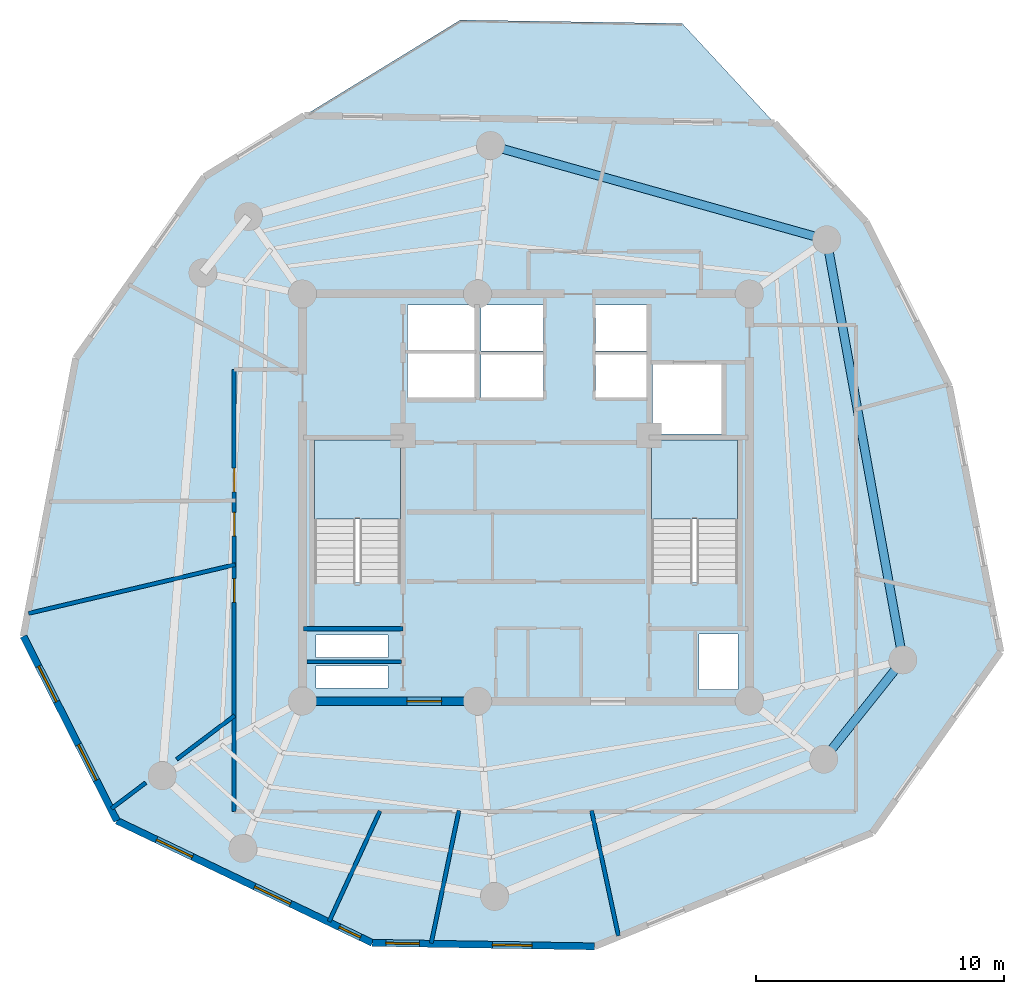
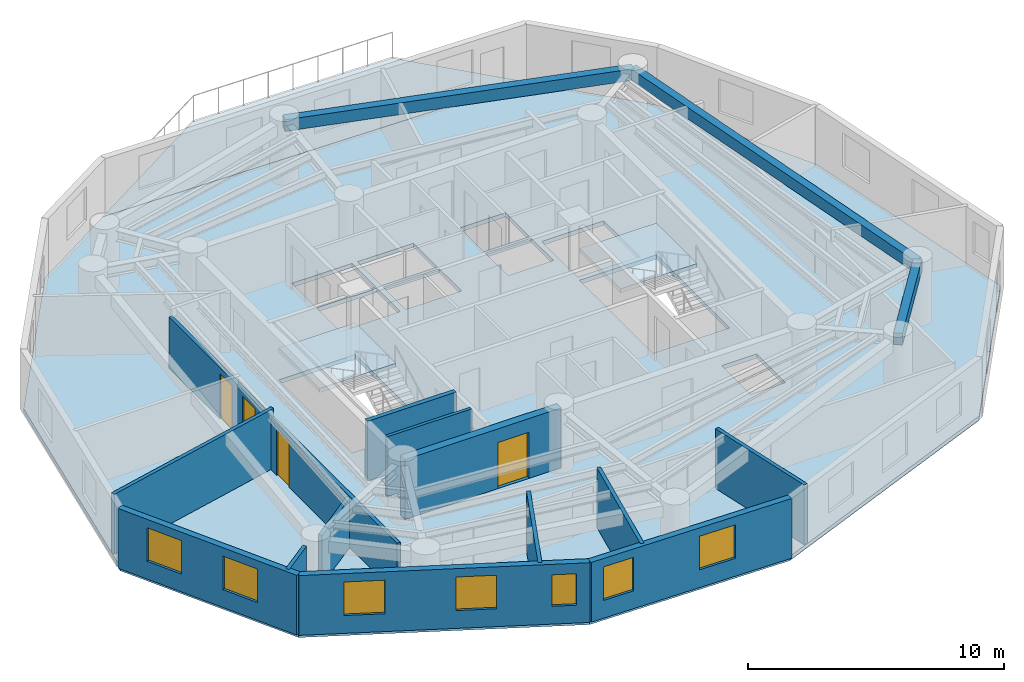
# One storey, part 2 of 7: 13 walls, 7 windows, 4 doors, 4 slabs, 3 beams, 11 openings, 2 elements without a shape of their own.
"""IFC4 building model written with IfcOpenShell, lengths in metres."""

from ifc_helpers import new_model, si_unit, direction, frame, frame_2d, origin, origin_with_axes, origin_2d, place, context, subcontext, project, spatial, polyline, rectangle, outline, extrude, source, transform, mapped, material, layer, layer_set, material_profile, profile_set, type_object, element, fill, aggregate, save


model = new_model("IFC4")

# Units and contexts
model_context = context("Model", 3, precision=1e-05, world=origin(), true_north=direction((0.0, 1.0)))
body_context = subcontext(model_context, "Body", "Model", "MODEL_VIEW")
ifc_project = project(units=[si_unit("LENGTHUNIT", "METRE"), si_unit("AREAUNIT", "SQUARE_METRE"), si_unit("VOLUMEUNIT", "CUBIC_METRE"), si_unit("PLANEANGLEUNIT", "RADIAN"), si_unit("MASSUNIT", "GRAM", prefix="KILO")], contexts=[model_context])

# Site, building, storey
site_placement = place(None, origin())
site = spatial("IfcSite", under=ifc_project, at=site_placement, CompositionType="ELEMENT")
building_placement = place(site_placement, origin())
building = spatial("IfcBuilding", under=site, at=building_placement, Name="Karkom Vertical University and Central Library", CompositionType="ELEMENT")
storey_placement = place(building_placement, frame((0.0, 0.0, 253.5)))
storey = spatial("IfcBuildingStorey", under=building, at=storey_placement, Name="L75", CompositionType="ELEMENT", Elevation=253.5)

# Beams
ifc_material_1 = material(Name="Precast concrete C45/55", Category="concrete")
ifc_material_profile = material_profile(ifc_material_1, rectangle(XDim=0.35009765625, YDim=0.550048828125, at=origin_2d()), Name="SPB-350x550")
ifc_profile_set = profile_set([ifc_material_profile], Name="Precast concrete C45/55")
beam_type = type_object("IfcBeamType", Name="STR-BM-SP-2", PredefinedType="SPANDREL", material=ifc_profile_set)
shared_shape_1 = source(origin_with_axes(), body_context, "Body", "SweptSolid", [
    extrude(rectangle(XDim=0.35009765625, YDim=0.550048828125, at=origin_2d()), origin(), (0.0, 0.0, 1.0), 17.19970703125),
])
beam_1_placement = place(storey_placement, frame((43.681884765625, 19.9560546875, 2.574951171875), z_axis=(-0.178423249727, 0.983953832228, 0.0), x_axis=(-0.983953832228, -0.178423249727, 0.0)))
element("IfcBeam", 1, at=beam_1_placement, inside=storey, type_object=beam_type, Name="Level 75 Perimeter Spandrel Beam 01", PredefinedType="SPANDREL", context=body_context, shape_type="MappedRepresentation", body=[
    mapped(shared_shape_1, transform((0.0, 0.0, 0.0), scale=1.0)),
])
shared_shape_2 = source(origin_with_axes(), body_context, "Body", "SweptSolid", [
    extrude(rectangle(XDim=0.35009765625, YDim=0.550048828125, at=origin_2d()), origin(), (0.0, 0.0, 1.0), 14.0625),
])
beam_2_placement = place(storey_placement, frame((40.613037109375, 36.8798828125, 2.574951171875), z_axis=(-0.962854853531, 0.270019501207, 0.0), x_axis=(-0.270019501207, -0.962854853531, 0.0)))
element("IfcBeam", 2, at=beam_2_placement, inside=storey, type_object=beam_type, Name="Level 75 Perimeter Spandrel Beam 02", PredefinedType="SPANDREL", context=body_context, shape_type="MappedRepresentation", body=[
    mapped(shared_shape_2, transform((0.0, 0.0, 0.0), scale=1.0)),
])
shared_shape_3 = source(origin_with_axes(), body_context, "Body", "SweptSolid", [
    extrude(rectangle(XDim=0.35009765625, YDim=0.550048828125, at=origin_2d()), origin(), (0.0, 0.0, 1.0), 5.112060546875),
])
beam_3_placement = place(storey_placement, frame((40.493896484375, 15.9599609375, 2.574951171875), z_axis=(0.623634459503, 0.78171609995, 0.0), x_axis=(-0.78171609995, 0.623634459503, 0.0)))
element("IfcBeam", 3, at=beam_3_placement, inside=storey, type_object=beam_type, Name="Level 75 Perimeter Spandrel Beam 09", PredefinedType="SPANDREL", context=body_context, shape_type="MappedRepresentation", body=[
    mapped(shared_shape_3, transform((0.0, 0.0, 0.0), scale=1.0)),
])

# Stair, slab
ifc_material_2 = material(Name="Concrete C45/55", Category="concrete")
stair_type = type_object("IfcStairType", Name="INT-STR-ST-MAIN", PredefinedType="HALF_TURN_STAIR", material=ifc_material_2)
stair_1_placement = place(storey_placement, origin())
stair_1 = element("IfcStair", 4, at=stair_1_placement, inside=storey, type_object=stair_type, Name="Level 75 Tower Protected Exit Stair ST-1", PredefinedType="HALF_TURN_STAIR")
ifc_layer_1 = layer(ifc_material_2, 0.199951171875)
ifc_layer_set_1 = layer_set([ifc_layer_1], Name="Concrete C45/55")
slab_type_1 = type_object("IfcSlabType", Name="INT-SLB-LANDING", PredefinedType="LANDING", material=ifc_layer_set_1)
slab_1_placement = place(storey_placement, frame((0.0, 0.0, 1.324951171875)))
slab_1 = element("IfcSlab", 5, at=slab_1_placement, type_object=slab_type_1, Name="ST-1 landing 1", PredefinedType="LANDING", context=body_context, shape_type="SweptSolid", body=[
    extrude(outline(polyline([(23.43994140625, 25.6298828125), (23.43994140625, 28.820068359375), (19.97998046875, 28.820068359375), (19.97998046875, 25.6298828125), (23.43994140625, 25.6298828125)])), origin(), (0.0, 0.0, 1.0), 0.199951171875),
])
aggregate(stair_1, [slab_1])

stair_2_placement = place(storey_placement, origin())
stair_2 = element("IfcStair", 6, at=stair_2_placement, inside=storey, type_object=stair_type, Name="Level 75 Tower Protected Exit Stair ST-2", PredefinedType="HALF_TURN_STAIR")
slab_2_placement = place(storey_placement, frame((0.0, 0.0, 1.324951171875)))
slab_2 = element("IfcSlab", 7, at=slab_2_placement, type_object=slab_type_1, Name="ST-2 landing 1", PredefinedType="LANDING", context=body_context, shape_type="SweptSolid", body=[
    extrude(outline(polyline([(37.02001953125, 25.6298828125), (37.02001953125, 28.820068359375), (33.56005859375, 28.820068359375), (33.56005859375, 25.6298828125), (37.02001953125, 25.6298828125)])), origin(), (0.0, 0.0, 1.0), 0.199951171875),
])
aggregate(stair_2, [slab_2])

# Slabs
ifc_material_3 = material(Name="Concrete C40/50", Category="concrete")
ifc_layer_2 = layer(ifc_material_3, 0.199951171875)
ifc_layer_set_2 = layer_set([ifc_layer_2], Name="Concrete C40/50")
slab_type_2 = type_object("IfcSlabType", Name="STR-SLB-FLR-200", PredefinedType="FLOOR", material=ifc_layer_set_2)
slab_3_placement = place(storey_placement, frame((0.0, 0.0, -0.199951171875)))
element("IfcSlab", 8, at=slab_3_placement, inside=storey, type_object=slab_type_2, Name="Level 75 Tower Structural Floor Slab", PredefinedType="FLOOR", context=body_context, shape_type="SweptSolid", body=[
    extrude(outline(polyline([(12.02685546875, 13.481689453125), (22.310791015625, 8.563232421875), (31.2607421875, 8.421875), (42.448974609375, 13.0009765625), (47.61474609375, 20.28759765625), (45.55029296875, 30.974853515625), (42.188720703125, 37.6064453125), (38.505615234375, 41.580078125), (19.57421875, 41.87939453125), (15.551025390625, 39.4140625), (10.374267578125, 32.11181640625), (8.26171875, 20.909423828125), (12.02685546875, 13.481689453125)]), holes=[polyline([(19.97998046875, 23.0849609375), (23.43994140625, 23.0849609375), (23.43994140625, 28.820068359375), (19.97998046875, 28.820068359375), (19.97998046875, 23.0849609375)]), polyline([(33.56005859375, 23.0849609375), (37.02001953125, 23.0849609375), (37.02001953125, 28.820068359375), (33.56005859375, 28.820068359375), (33.56005859375, 23.0849609375)]), polyline([(26.679931640625, 30.5), (29.199951171875, 30.5), (29.199951171875, 32.25), (26.679931640625, 32.25), (26.679931640625, 30.5)]), polyline([(26.679931640625, 32.39990234375), (29.199951171875, 32.39990234375), (29.199951171875, 34.25), (26.679931640625, 34.25), (26.679931640625, 32.39990234375)]), polyline([(31.300048828125, 30.5), (33.35009765625, 30.5), (33.35009765625, 32.25), (31.300048828125, 32.25), (31.300048828125, 30.5)]), polyline([(31.300048828125, 32.39990234375), (33.35009765625, 32.39990234375), (33.35009765625, 34.25), (31.300048828125, 34.25), (31.300048828125, 32.39990234375)]), polyline([(23.719970703125, 30.47998046875), (26.429931640625, 30.47998046875), (26.429931640625, 32.320068359375), (23.719970703125, 32.320068359375), (23.719970703125, 30.47998046875)]), polyline([(23.719970703125, 32.419921875), (26.429931640625, 32.419921875), (26.429931640625, 34.260009765625), (23.719970703125, 34.260009765625), (23.719970703125, 32.419921875)]), polyline([(33.60009765625, 29.050048828125), (36.39990234375, 29.050048828125), (36.39990234375, 31.85009765625), (33.60009765625, 31.85009765625), (33.60009765625, 29.050048828125)]), polyline([(20.050048828125, 18.820068359375), (22.949951171875, 18.820068359375), (22.949951171875, 19.719970703125), (20.050048828125, 19.719970703125), (20.050048828125, 18.820068359375)]), polyline([(20.050048828125, 20.06005859375), (22.949951171875, 20.06005859375), (22.949951171875, 20.9599609375), (20.050048828125, 20.9599609375), (20.050048828125, 20.06005859375)]), polyline([(35.4599609375, 18.760009765625), (37.0400390625, 18.760009765625), (37.0400390625, 21.010009765625), (35.4599609375, 21.010009765625), (35.4599609375, 18.760009765625)])]), origin(), (0.0, 0.0, 1.0), 0.199951171875),
])
ifc_layer_3 = layer(ifc_material_2, 0.199951171875)
ifc_layer_set_3 = layer_set([ifc_layer_3], Name="Concrete C45/55")
slab_type_3 = type_object("IfcSlabType", Name="STR-SLB-PLN-260", PredefinedType="USERDEFINED", material=ifc_layer_set_3)
slab_4_placement = place(storey_placement, frame((0.0, 0.0, -0.199951171875)))
element("IfcSlab", 9, at=slab_4_placement, inside=storey, type_object=slab_type_3, Name="Level 75 Spiral Sky Garden Planter Terrace", ObjectType="PLANTER", PredefinedType="USERDEFINED", context=body_context, shape_type="SweptSolid", body=[
    extrude(outline(polyline([(38.505615234375, 41.580078125), (34.789306640625, 45.589599609375), (25.8583984375, 45.730712890625), (19.57421875, 41.87939453125), (38.505615234375, 41.580078125)])), origin(), (0.0, 0.0, 1.0), 0.199951171875),
])

# Wall, openings, windows
ifc_material_4 = material(Name="Brick-faced precast concrete C45/55", Category="masonry")
ifc_layer_4 = layer(ifc_material_4, 0.280029296875)
ifc_layer_set_4 = layer_set([ifc_layer_4], Name="Brick-faced precast concrete C45/55")
wall_type_1 = type_object("IfcWallType", Name="ENV-WL-BRK-280", PredefinedType="SOLIDWALL", material=ifc_layer_set_4)
wall_1_placement = place(storey_placement, frame((12.02685546875, 13.481689453125, 0.0), z_axis=(0.0, 0.0, 1.0), x_axis=(0.902132409452, -0.431459286395, 0.0)))
wall_1 = element("IfcWall", 10, at=wall_1_placement, inside=storey, type_object=wall_type_1, Name="Level 75 Brick-Faced Precast Facade Wall 01", PredefinedType="SOLIDWALL", context=body_context, shape_type="SweptSolid", body=[
    extrude(rectangle(XDim=11.399658203125, YDim=0.280029296875, at=frame_2d((5.69970703125, 0.0))), origin(), (0.0, 0.0, 1.0), 2.85009765625),
])
opening_1_placement = place(wall_1_placement, frame((1.769775390625, 0.0, 0.85009765625)))
opening_1 = element("IfcOpeningElement", 11, at=opening_1_placement, cuts=wall_1, Name="Opening WN-10", PredefinedType="OPENING", context=body_context, shape_type="SweptSolid", body=[
    extrude(rectangle(XDim=1.60009765625, YDim=1.60009765625, at=frame_2d((0.800048828125, 0.800048828125))), frame((0.0, 0.14990234375, 0.0), z_axis=(0.0, -1.0, 0.0), x_axis=(1.0, 0.0, 0.0)), (0.0, 0.0, 1.0), 0.300048828125),
])
opening_2_placement = place(wall_1_placement, frame((6.1494140625, 0.0, 0.85009765625)))
opening_2 = element("IfcOpeningElement", 12, at=opening_2_placement, cuts=wall_1, Name="Opening WN-10", PredefinedType="OPENING", context=body_context, shape_type="SweptSolid", body=[
    extrude(rectangle(XDim=1.60009765625, YDim=1.60009765625, at=frame_2d((0.800048828125, 0.800048828125))), frame((0.0, 0.14990234375, 0.0), z_axis=(0.0, -1.0, 0.0), x_axis=(1.0, 0.0, 0.0)), (0.0, 0.0, 1.0), 0.300048828125),
])
opening_3_placement = place(wall_1_placement, frame((9.92431640625, 0.0, 0.85009765625)))
opening_3 = element("IfcOpeningElement", 13, at=opening_3_placement, cuts=wall_1, Name="Opening WN-12", PredefinedType="OPENING", context=body_context, shape_type="SweptSolid", body=[
    extrude(rectangle(XDim=0.949951171875, YDim=1.5, at=frame_2d((0.47509765625, 0.75))), frame((0.0, 0.14990234375, 0.0), z_axis=(0.0, -1.0, 0.0), x_axis=(1.0, 0.0, 0.0)), (0.0, 0.0, 1.0), 0.300048828125),
])
ifc_material_5 = material(Name="Aluminium thermal-break frame with solar-control IGU", Category="aluminium")
window_type_1 = type_object("IfcWindowType", Name="ENV-WIN-WN-12", PartitioningType="SINGLE_PANEL", PredefinedType="WINDOW", material=ifc_material_5)
shared_shape_4 = source(origin_with_axes(), body_context, "Body", "SweptSolid", [
    extrude(rectangle(XDim=0.949951171875, YDim=1.5, at=frame_2d((0.47509765625, 0.75))), frame((0.0, 0.030029296875, 0.0), z_axis=(0.0, -1.0, 0.0), x_axis=(1.0, 0.0, 0.0)), (0.0, 0.0, 1.0), 0.06005859375),
])
window_1_placement = place(opening_3_placement, origin())
window_1 = element("IfcWindow", 14, at=window_1_placement, inside=storey, type_object=window_type_1, Name="Level 75 Punched Window 1.3", OverallHeight=1.5, OverallWidth=0.949951171875, PartitioningType="SINGLE_PANEL", PredefinedType="WINDOW", context=body_context, shape_type="MappedRepresentation", body=[
    mapped(shared_shape_4, transform((0.0, 0.0, 0.0), scale=1.0)),
])
fill(opening_3, window_1)
window_type_2 = type_object("IfcWindowType", Name="ENV-WIN-WN-10", PartitioningType="SINGLE_PANEL", PredefinedType="WINDOW", material=ifc_material_5)
shared_shape_5 = source(origin_with_axes(), body_context, "Body", "SweptSolid", [
    extrude(rectangle(XDim=1.60009765625, YDim=1.60009765625, at=frame_2d((0.800048828125, 0.800048828125))), frame((0.0, 0.030029296875, 0.0), z_axis=(0.0, -1.0, 0.0), x_axis=(1.0, 0.0, 0.0)), (0.0, 0.0, 1.0), 0.06005859375),
])
window_2_placement = place(opening_1_placement, origin())
window_2 = element("IfcWindow", 15, at=window_2_placement, inside=storey, type_object=window_type_2, Name="Level 75 Punched Window 1.1", OverallHeight=1.60009765625, OverallWidth=1.60009765625, PartitioningType="SINGLE_PANEL", PredefinedType="WINDOW", context=body_context, shape_type="MappedRepresentation", body=[
    mapped(shared_shape_5, transform((0.0, 0.0, 0.0), scale=1.0)),
])
fill(opening_1, window_2)
window_3_placement = place(opening_2_placement, origin())
window_3 = element("IfcWindow", 16, at=window_3_placement, inside=storey, type_object=window_type_2, Name="Level 75 Punched Window 1.2", OverallHeight=1.60009765625, OverallWidth=1.60009765625, PartitioningType="SINGLE_PANEL", PredefinedType="WINDOW", context=body_context, shape_type="MappedRepresentation", body=[
    mapped(shared_shape_5, transform((0.0, 0.0, 0.0), scale=1.0)),
])
fill(opening_2, window_3)

wall_2_placement = place(storey_placement, frame((22.310791015625, 8.563232421875, 0.0), z_axis=(0.0, 0.0, 1.0), x_axis=(0.999875294772, -0.015792241896, 0.0)))
wall_2 = element("IfcWall", 17, at=wall_2_placement, inside=storey, type_object=wall_type_1, Name="Level 75 Brick-Faced Precast Facade Wall 02", PredefinedType="SOLIDWALL", context=body_context, shape_type="SweptSolid", body=[
    extrude(rectangle(XDim=8.951171875, YDim=0.280029296875, at=frame_2d((4.4755859375, 0.0))), origin(), (0.0, 0.0, 1.0), 2.85009765625),
])
opening_4_placement = place(wall_2_placement, frame((0.54541015625, 0.0, 0.85009765625)))
opening_4 = element("IfcOpeningElement", 18, at=opening_4_placement, cuts=wall_2, Name="Opening WN-11", PredefinedType="OPENING", context=body_context, shape_type="SweptSolid", body=[
    extrude(rectangle(XDim=1.35009765625, YDim=1.60009765625, at=frame_2d((0.675048828125, 0.800048828125))), frame((0.0, 0.14990234375, 0.0), z_axis=(0.0, -1.0, 0.0), x_axis=(1.0, 0.0, 0.0)), (0.0, 0.0, 1.0), 0.300048828125),
])
opening_5_placement = place(wall_2_placement, frame((4.836181640625, 0.0, 0.85009765625)))
opening_5 = element("IfcOpeningElement", 19, at=opening_5_placement, cuts=wall_2, Name="Opening WN-10", PredefinedType="OPENING", context=body_context, shape_type="SweptSolid", body=[
    extrude(rectangle(XDim=1.60009765625, YDim=1.60009765625, at=frame_2d((0.800048828125, 0.800048828125))), frame((0.0, 0.14990234375, 0.0), z_axis=(0.0, -1.0, 0.0), x_axis=(1.0, 0.0, 0.0)), (0.0, 0.0, 1.0), 0.300048828125),
])
window_4_placement = place(opening_5_placement, origin())
window_4 = element("IfcWindow", 20, at=window_4_placement, inside=storey, type_object=window_type_2, Name="Level 75 Punched Window 2.2", OverallHeight=1.60009765625, OverallWidth=1.60009765625, PartitioningType="SINGLE_PANEL", PredefinedType="WINDOW", context=body_context, shape_type="MappedRepresentation", body=[
    mapped(shared_shape_5, transform((0.0, 0.0, 0.0), scale=1.0)),
])
fill(opening_5, window_4)
window_type_3 = type_object("IfcWindowType", Name="ENV-WIN-WN-11", PartitioningType="SINGLE_PANEL", PredefinedType="WINDOW", material=ifc_material_5)
shared_shape_6 = source(origin_with_axes(), body_context, "Body", "SweptSolid", [
    extrude(rectangle(XDim=1.35009765625, YDim=1.60009765625, at=frame_2d((0.675048828125, 0.800048828125))), frame((0.0, 0.030029296875, 0.0), z_axis=(0.0, -1.0, 0.0), x_axis=(1.0, 0.0, 0.0)), (0.0, 0.0, 1.0), 0.06005859375),
])
window_5_placement = place(opening_4_placement, origin())
window_5 = element("IfcWindow", 21, at=window_5_placement, inside=storey, type_object=window_type_3, Name="Level 75 Punched Window 2.1", OverallHeight=1.60009765625, OverallWidth=1.35009765625, PartitioningType="SINGLE_PANEL", PredefinedType="WINDOW", context=body_context, shape_type="MappedRepresentation", body=[
    mapped(shared_shape_6, transform((0.0, 0.0, 0.0), scale=1.0)),
])
fill(opening_4, window_5)

wall_3_placement = place(storey_placement, frame((8.26171875, 20.909423828125, 0.0), z_axis=(0.0, 0.0, 1.0), x_axis=(0.452132129268, -0.891950972691, 0.0)))
wall_3 = element("IfcWall", 22, at=wall_3_placement, inside=storey, type_object=wall_type_1, Name="Level 75 Brick-Faced Precast Facade Wall 12", PredefinedType="SOLIDWALL", context=body_context, shape_type="SweptSolid", body=[
    extrude(rectangle(XDim=8.327392578125, YDim=0.280029296875, at=frame_2d((4.16357421875, 0.0))), origin(), (0.0, 0.0, 1.0), 2.85009765625),
])
opening_6_placement = place(wall_3_placement, frame((1.35107421875, 0.0, 0.85009765625)))
opening_6 = element("IfcOpeningElement", 23, at=opening_6_placement, cuts=wall_3, Name="Opening WN-10", PredefinedType="OPENING", context=body_context, shape_type="SweptSolid", body=[
    extrude(rectangle(XDim=1.60009765625, YDim=1.60009765625, at=frame_2d((0.800048828125, 0.800048828125))), frame((0.0, 0.14990234375, 0.0), z_axis=(0.0, -1.0, 0.0), x_axis=(1.0, 0.0, 0.0)), (0.0, 0.0, 1.0), 0.300048828125),
])
opening_7_placement = place(wall_3_placement, frame((4.893310546875, 0.0, 0.85009765625)))
opening_7 = element("IfcOpeningElement", 24, at=opening_7_placement, cuts=wall_3, Name="Opening WN-10", PredefinedType="OPENING", context=body_context, shape_type="SweptSolid", body=[
    extrude(rectangle(XDim=1.60009765625, YDim=1.60009765625, at=frame_2d((0.800048828125, 0.800048828125))), frame((0.0, 0.14990234375, 0.0), z_axis=(0.0, -1.0, 0.0), x_axis=(1.0, 0.0, 0.0)), (0.0, 0.0, 1.0), 0.300048828125),
])
window_6_placement = place(opening_6_placement, origin())
window_6 = element("IfcWindow", 25, at=window_6_placement, inside=storey, type_object=window_type_2, Name="Level 75 Punched Window 12.1", OverallHeight=1.60009765625, OverallWidth=1.60009765625, PartitioningType="SINGLE_PANEL", PredefinedType="WINDOW", context=body_context, shape_type="MappedRepresentation", body=[
    mapped(shared_shape_5, transform((0.0, 0.0, 0.0), scale=1.0)),
])
fill(opening_6, window_6)
window_7_placement = place(opening_7_placement, origin())
window_7 = element("IfcWindow", 26, at=window_7_placement, inside=storey, type_object=window_type_2, Name="Level 75 Punched Window 12.2", OverallHeight=1.60009765625, OverallWidth=1.60009765625, PartitioningType="SINGLE_PANEL", PredefinedType="WINDOW", context=body_context, shape_type="MappedRepresentation", body=[
    mapped(shared_shape_5, transform((0.0, 0.0, 0.0), scale=1.0)),
])
fill(opening_7, window_7)

# Wall, openings, doors
ifc_material_6 = material(Name="Insulated metal-stud drywall 160mm", Category="gypsum")
ifc_layer_5 = layer(ifc_material_6, 0.159912109375)
ifc_layer_set_5 = layer_set([ifc_layer_5], Name="Insulated metal-stud drywall 160mm")
wall_type_2 = type_object("IfcWallType", Name="INT-WL-COR-160", PredefinedType="PARTITIONING", material=ifc_layer_set_5)
wall_4_placement = place(storey_placement, frame((16.75, 13.85009765625, 0.0), z_axis=(0.0, 0.0, 1.0), x_axis=(0.0, 1.0, 0.0)))
wall_4 = element("IfcWall", 27, at=wall_4_placement, inside=storey, type_object=wall_type_2, Name="Level 75 Interior Partition Wall L75-CORW-CW-002", PredefinedType="PARTITIONING", context=body_context, shape_type="SweptSolid", body=[
    extrude(rectangle(XDim=17.7998046875, YDim=0.159912109375, at=frame_2d((8.89990234375, 0.0))), origin(), (0.0, 0.0, 1.0), 2.449951171875),
])
opening_8_placement = place(wall_4_placement, frame((11.094970703125, 0.0, 0.0)))
opening_8 = element("IfcOpeningElement", 28, at=opening_8_placement, cuts=wall_4, Name="Opening FD-RM2", PredefinedType="OPENING", context=body_context, shape_type="SweptSolid", body=[
    extrude(rectangle(XDim=0.9599609375, YDim=2.14990234375, at=frame_2d((0.47998046875, 1.074951171875))), frame((0.0, 0.08984375, 0.0), z_axis=(0.0, -1.0, 0.0), x_axis=(1.0, 0.0, 0.0)), (0.0, 0.0, 1.0), 0.179931640625),
])
opening_9_placement = place(wall_4_placement, frame((8.425048828125, 0.0, 0.0)))
opening_9 = element("IfcOpeningElement", 29, at=opening_9_placement, cuts=wall_4, Name="Opening FD-RM2", PredefinedType="OPENING", context=body_context, shape_type="SweptSolid", body=[
    extrude(rectangle(XDim=0.9599609375, YDim=2.14990234375, at=frame_2d((0.47998046875, 1.074951171875))), frame((0.0, 0.08984375, 0.0), z_axis=(0.0, -1.0, 0.0), x_axis=(1.0, 0.0, 0.0)), (0.0, 0.0, 1.0), 0.179931640625),
])
opening_10_placement = place(wall_4_placement, frame((12.875, 0.0, 0.0)))
opening_10 = element("IfcOpeningElement", 30, at=opening_10_placement, cuts=wall_4, Name="Opening FD-RM2", PredefinedType="OPENING", context=body_context, shape_type="SweptSolid", body=[
    extrude(rectangle(XDim=0.9599609375, YDim=2.14990234375, at=frame_2d((0.47998046875, 1.074951171875))), frame((0.0, 0.08984375, 0.0), z_axis=(0.0, -1.0, 0.0), x_axis=(1.0, 0.0, 0.0)), (0.0, 0.0, 1.0), 0.179931640625),
])
ifc_material_7 = material(Name="Fire-rated oak veneer door", Category="wood")
door_type_1 = type_object("IfcDoorType", Name="INT-DR-FRM2", OperationType="NOTDEFINED", PredefinedType="DOOR", material=ifc_material_7)
shared_shape_7 = source(origin_with_axes(), body_context, "Body", "SweptSolid", [
    extrude(rectangle(XDim=0.9599609375, YDim=2.14990234375, at=frame_2d((0.47998046875, 1.074951171875))), frame((0.0, 0.02490234375, 0.0), z_axis=(0.0, -1.0, 0.0), x_axis=(1.0, 0.0, 0.0)), (0.0, 0.0, 1.0), 0.050048828125),
])
door_1_placement = place(opening_8_placement, origin())
door_1 = element("IfcDoor", 31, at=door_1_placement, inside=storey, type_object=door_type_1, Name="Level 75 Room Entry Door 300", OperationType="SINGLE_SWING_LEFT", OverallHeight=2.14990234375, OverallWidth=0.9599609375, PredefinedType="DOOR", context=body_context, shape_type="MappedRepresentation", body=[
    mapped(shared_shape_7, transform((0.0, 0.0, 0.0), scale=1.0)),
])
fill(opening_8, door_1)
door_2_placement = place(opening_9_placement, origin())
door_2 = element("IfcDoor", 32, at=door_2_placement, inside=storey, type_object=door_type_1, Name="Level 75 Room Entry Door 301", OperationType="SINGLE_SWING_RIGHT", OverallHeight=2.14990234375, OverallWidth=0.9599609375, PredefinedType="DOOR", context=body_context, shape_type="MappedRepresentation", body=[
    mapped(shared_shape_7, transform((0.0, 0.0, 0.0), scale=1.0)),
])
fill(opening_9, door_2)
door_3_placement = place(opening_10_placement, origin())
door_3 = element("IfcDoor", 33, at=door_3_placement, inside=storey, type_object=door_type_1, Name="Level 75 Room Entry Door 310", OperationType="SINGLE_SWING_LEFT", OverallHeight=2.14990234375, OverallWidth=0.9599609375, PredefinedType="DOOR", context=body_context, shape_type="MappedRepresentation", body=[
    mapped(shared_shape_7, transform((0.0, 0.0, 0.0), scale=1.0)),
])
fill(opening_10, door_3)

# Walls
wall_5_placement = place(storey_placement, frame((16.793701171875, 23.798095703125, 0.0), z_axis=(0.0, 0.0, 1.0), x_axis=(-0.973246248969, -0.229764529179, 0.0)))
element("IfcWall", 34, at=wall_5_placement, inside=storey, type_object=wall_type_2, Name="Level 75 Interior Partition Wall L75-PW-001", PredefinedType="PARTITIONING", context=body_context, shape_type="SweptSolid", body=[
    extrude(rectangle(XDim=8.555908203125, YDim=0.159912109375, at=frame_2d((4.27783203125, 0.0))), origin(), (0.0, 0.0, 1.0), 2.85009765625),
])
wall_6_placement = place(storey_placement, frame((25.802490234375, 13.89404296875, 0.0), z_axis=(0.0, 0.0, 1.0), x_axis=(-0.20473658281, -0.978817108381, 0.0)))
element("IfcWall", 35, at=wall_6_placement, inside=storey, type_object=wall_type_2, Name="Level 75 Interior Partition Wall L75-PW-006", PredefinedType="PARTITIONING", context=body_context, shape_type="SweptSolid", body=[
    extrude(rectangle(XDim=5.4580078125, YDim=0.159912109375, at=frame_2d((2.72900390625, 0.0))), origin(), (0.0, 0.0, 1.0), 2.85009765625),
])
wall_7_placement = place(storey_placement, frame((31.142578125, 13.89404296875, 0.0), z_axis=(0.0, 0.0, 1.0), x_axis=(0.209706650343, -0.977764348298, 0.0)))
element("IfcWall", 36, at=wall_7_placement, inside=storey, type_object=wall_type_2, Name="Level 75 Interior Partition Wall L75-PW-007", PredefinedType="PARTITIONING", context=body_context, shape_type="SweptSolid", body=[
    extrude(rectangle(XDim=5.164306640625, YDim=0.159912109375, at=frame_2d((2.58203125, 0.0))), origin(), (0.0, 0.0, 1.0), 2.85009765625),
])
wall_8_placement = place(storey_placement, frame((22.622314453125, 13.877197265625, 0.0), z_axis=(0.0, 0.0, 1.0), x_axis=(-0.418205552884, -0.908352418138, 0.0)))
element("IfcWall", 37, at=wall_8_placement, inside=storey, type_object=wall_type_2, Name="Level 75 Interior Partition Wall L75-PW-005", PredefinedType="PARTITIONING", context=body_context, shape_type="SweptSolid", body=[
    extrude(rectangle(XDim=4.90380859375, YDim=0.159912109375, at=frame_2d((2.451904296875, 0.0))), origin(), (0.0, 0.0, 1.0), 2.85009765625),
])
wall_9_placement = place(storey_placement, frame((16.77392578125, 17.72216796875, 0.0), z_axis=(0.0, 0.0, 1.0), x_axis=(-0.798087936227, -0.602540991177, 0.0)))
element("IfcWall", 38, at=wall_9_placement, inside=storey, type_object=wall_type_2, Name="Level 75 Interior Partition Wall L75-PW-003", PredefinedType="PARTITIONING", context=body_context, shape_type="SweptSolid", body=[
    extrude(rectangle(XDim=2.9326171875, YDim=0.159912109375, at=frame_2d((1.46630859375, 0.0))), origin(), (0.0, 0.0, 1.0), 2.35009765625),
])
wall_10_placement = place(storey_placement, frame((13.18896484375, 15.015380859375, 0.0), z_axis=(0.0, 0.0, 1.0), x_axis=(-0.798117491575, -0.602501842023, 0.0)))
element("IfcWall", 39, at=wall_10_placement, inside=storey, type_object=wall_type_2, Name="Level 75 Interior Partition Wall L75-PW-004", PredefinedType="PARTITIONING", context=body_context, shape_type="SweptSolid", body=[
    extrude(rectangle(XDim=1.73095703125, YDim=0.159912109375, at=frame_2d((0.865478515625, 0.0))), origin(), (0.0, 0.0, 1.0), 2.85009765625),
])
ifc_material_8 = material(Name="Metal-stud gypsum partition 140mm", Category="gypsum")
ifc_layer_6 = layer(ifc_material_8, 0.139892578125)
ifc_layer_set_6 = layer_set([ifc_layer_6], Name="Metal-stud gypsum partition 140mm")
wall_type_3 = type_object("IfcWallType", Name="INT-WL-SUB-140H", PredefinedType="PARTITIONING", material=ifc_layer_set_6)
wall_11_placement = place(storey_placement, frame((19.681884765625, 19.889892578125, 0.0), z_axis=(0.0, 0.0, 1.0), x_axis=(1.0, 0.0, 0.0)))
element("IfcWall", 40, at=wall_11_placement, inside=storey, type_object=wall_type_3, Name="Level 75 Interior Partition Wall L75-CW-RIS-W", PredefinedType="PARTITIONING", context=body_context, shape_type="SweptSolid", body=[
    extrude(rectangle(XDim=3.8154296875, YDim=0.139892578125, at=frame_2d((1.90771484375, 0.0))), origin(), (0.0, 0.0, 1.0), 2.85009765625),
])

# Wall, opening, door
ifc_layer_7 = layer(ifc_material_2, 0.35009765625)
ifc_layer_set_7 = layer_set([ifc_layer_7], Name="Concrete C45/55")
wall_type_4 = type_object("IfcWallType", Name="STR-WL-CW-350", PredefinedType="SHEAR", material=ifc_layer_set_7)
wall_12_placement = place(storey_placement, frame((19.5, 18.300048828125, 0.0), z_axis=(0.0, 0.0, 1.0), x_axis=(1.0, 0.0, 0.0)))
wall_12 = element("IfcWall", 41, at=wall_12_placement, inside=storey, type_object=wall_type_4, Name="Level 75 Central Core Shear Wall SW1", PredefinedType="SHEAR", context=body_context, shape_type="SweptSolid", body=[
    extrude(rectangle(XDim=7.050048828125, YDim=0.35009765625, at=frame_2d((3.52490234375, 0.0))), origin(), (0.0, 0.0, 1.0), 2.85009765625),
])
opening_11_placement = place(wall_12_placement, frame((4.199951171875, 0.0, 0.0)))
opening_11 = element("IfcOpeningElement", 42, at=opening_11_placement, cuts=wall_12, Name="Opening FD-CLB", PredefinedType="OPENING", context=body_context, shape_type="SweptSolid", body=[
    extrude(rectangle(XDim=1.39990234375, YDim=2.199951171875, at=frame_2d((0.699951171875, 1.10009765625))), frame((0.0, 0.18505859375, 0.0), z_axis=(0.0, -1.0, 0.0), x_axis=(1.0, 0.0, 0.0)), (0.0, 0.0, 1.0), 0.3701171875),
])
ifc_material_9 = material(Name="Painted steel fire door", Category="steel")
door_type_2 = type_object("IfcDoorType", Name="INT-DR-CLB", OperationType="DOUBLE_DOOR_SINGLE_SWING", PredefinedType="DOOR", material=ifc_material_9)
shared_shape_8 = source(origin_with_axes(), body_context, "Body", "SweptSolid", [
    extrude(rectangle(XDim=1.39990234375, YDim=2.199951171875, at=frame_2d((0.699951171875, 1.10009765625))), frame((0.0, 0.02490234375, 0.0), z_axis=(0.0, -1.0, 0.0), x_axis=(1.0, 0.0, 0.0)), (0.0, 0.0, 1.0), 0.050048828125),
])
door_4_placement = place(opening_11_placement, origin())
door_4 = element("IfcDoor", 43, at=door_4_placement, inside=storey, type_object=door_type_2, Name="Level 75 South Core Lobby West Exit Door", OperationType="DOUBLE_DOOR_SINGLE_SWING", OverallHeight=2.199951171875, OverallWidth=1.39990234375, PredefinedType="DOOR", context=body_context, shape_type="MappedRepresentation", body=[
    mapped(shared_shape_8, transform((0.0, 0.0, 0.0), scale=1.0)),
])
fill(opening_11, door_4)

# Wall
ifc_layer_8 = layer(ifc_material_2, 0.199951171875)
ifc_layer_set_8 = layer_set([ifc_layer_8], Name="Concrete C45/55")
wall_type_5 = type_object("IfcWallType", Name="STR-WL-ST-200", PredefinedType="SHEAR", material=ifc_layer_set_8)
wall_13_placement = place(storey_placement, frame((19.550048828125, 21.215087890625, 0.0), z_axis=(0.0, 0.0, 1.0), x_axis=(1.0, 0.0, 0.0)))
element("IfcWall", 44, at=wall_13_placement, inside=storey, type_object=wall_type_5, Name="Level 75 Core Shaft Wall L75-CW-ST1-S", PredefinedType="SHEAR", context=body_context, shape_type="SweptSolid", body=[
    extrude(rectangle(XDim=3.994873046875, YDim=0.199951171875, at=frame_2d((1.99755859375, 0.0))), origin(), (0.0, 0.0, 1.0), 2.85009765625),
])

save(model, "model.ifc")
